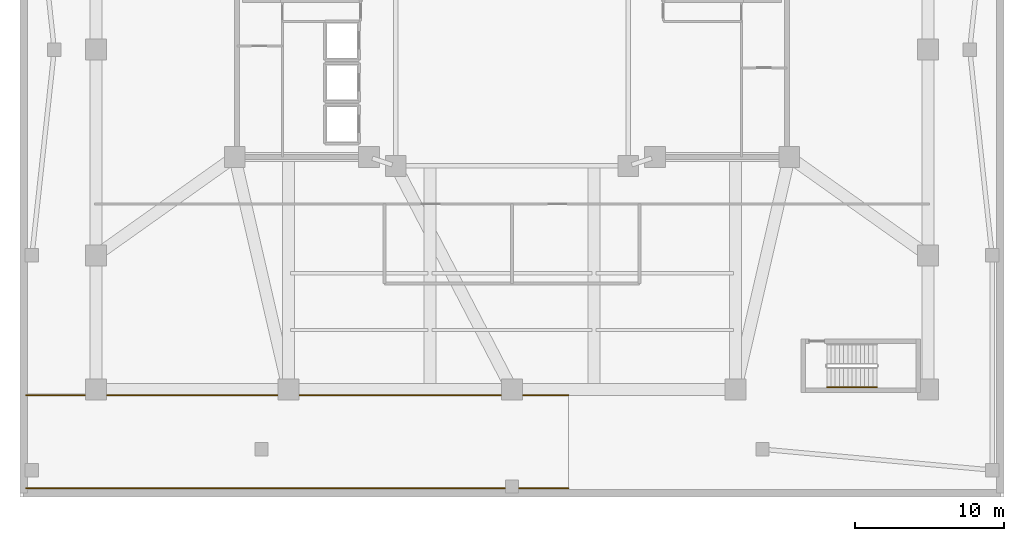
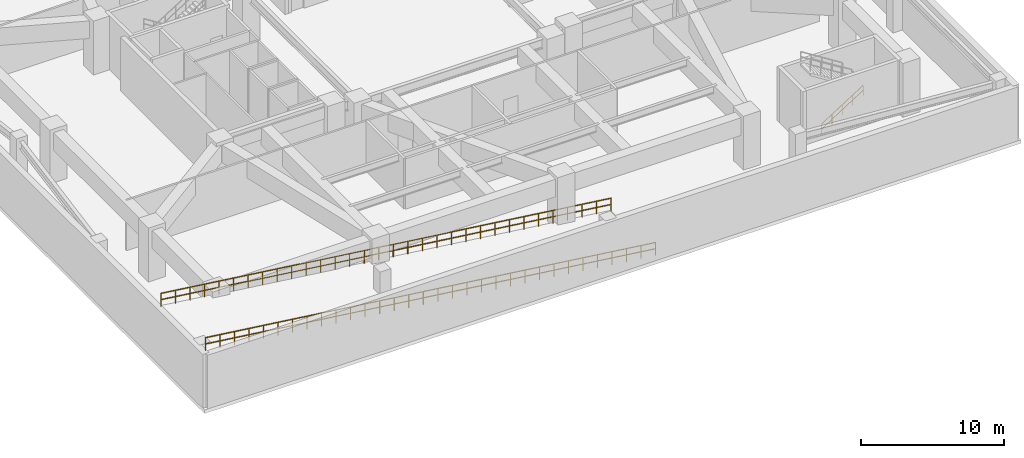
# One storey, part 6 of 8: 3 railings.
"""IFC4 building model written with IfcOpenShell, lengths in metres."""

import ifcopenshell
import ifcopenshell.guid

model = None  # the IFC model being written
_history = None  # IfcOwnerHistory: only IFC2X3 demands one
_inside = {}  # id of a spatial element -> (the spatial element, [elements in it])
_under = {}  # id of a project, library or spatial element -> (it, [spatial elements below it])
_declared = {}  # id of a project -> (the project, [libraries it declares])
_typed = {}  # id of a type object -> (the type object, [elements of that type])
_made_of = {}  # id of a material, layer set ... -> (it, [elements and type objects made of it])


def new_model(schema):
    """Start an empty IFC model of exactly this schema.

    Asked for "IFC4X3", IfcOpenShell would pick the latest addendum, in which some entities
    have other attributes; the version numbers below select the first issue.
    IFC2X3 requires an IfcOwnerHistory on every rooted entity: one is made here for all.
    """
    global model, _history
    if schema == "IFC4X3":
        model = ifcopenshell.file(schema_version=(4, 3, 0, 0))
    else:
        model = ifcopenshell.file(schema=schema)
    _inside.clear()
    _under.clear()
    _declared.clear()
    _typed.clear()
    _made_of.clear()
    _history = None
    if model.schema == "IFC2X3":
        org = make("IfcOrganization", Name="unknown")
        user = make(
            "IfcPersonAndOrganization",
            ThePerson=make("IfcPerson", FamilyName="unknown"),
            TheOrganization=org,
        )
        app = make(
            "IfcApplication",
            ApplicationDeveloper=org,
            Version="unknown",
            ApplicationFullName="unknown",
            ApplicationIdentifier="unknown",
        )
        _history = make(
            "IfcOwnerHistory",
            OwningUser=user,
            OwningApplication=app,
            ChangeAction="ADDED",
            CreationDate=0,
        )
    return model


def make(cls, **values):
    """One entity of the class cls with the attributes given. An attribute that is None is left unset."""
    return model.create_entity(
        cls, **{name: value for name, value in values.items() if value is not None}
    )


def rooted(cls, **values):
    """An entity with a GlobalId (a new one), such as an element, a storey or a relation."""
    return make(cls, GlobalId=ifcopenshell.guid.new(), OwnerHistory=_history, **values)


def si_unit(unit_type, name, prefix=None):
    """IfcSIUnit, for example si_unit("LENGTHUNIT", "METRE", prefix="MILLI")."""
    return make("IfcSIUnit", UnitType=unit_type, Prefix=prefix, Name=name)


def assignment(units):
    """IfcUnitAssignment: the units of a project."""
    return None if units is None else make("IfcUnitAssignment", Units=units)


def point(xyz):
    """IfcCartesianPoint."""
    return None if xyz is None else make("IfcCartesianPoint", Coordinates=xyz)


def direction(xyz):
    """IfcDirection."""
    return None if xyz is None else make("IfcDirection", DirectionRatios=xyz)


def frame(location, z_axis=None, x_axis=None):
    """IfcAxis2Placement3D, a coordinate frame: its origin and axes. An axis left out is left unset."""
    return make(
        "IfcAxis2Placement3D",
        Location=point(location),
        Axis=direction(z_axis),
        RefDirection=direction(x_axis),
    )


def frame_2d(location, x_axis=None):
    """IfcAxis2Placement2D, a coordinate frame in the plane: its origin and x axis."""
    return make(
        "IfcAxis2Placement2D", Location=point(location), RefDirection=direction(x_axis)
    )


def origin():
    """The frame at (0, 0, 0) with its axes left unset."""
    return frame((0.0, 0.0, 0.0))


def origin_2d():
    """The frame at (0, 0) in the plane with its x axis left unset."""
    return frame_2d((0.0, 0.0))


def place(relative_to, where):
    """IfcLocalPlacement: puts the frame where relative to a parent placement (None: the world)."""
    return make(
        "IfcLocalPlacement", PlacementRelTo=relative_to, RelativePlacement=where
    )


def context(
    kind, dimensions, precision=None, world=None, true_north=None, identifier=None
):
    """IfcGeometricRepresentationContext, for example the 3D "Model" context."""
    return make(
        "IfcGeometricRepresentationContext",
        ContextIdentifier=identifier,
        ContextType=kind,
        CoordinateSpaceDimension=dimensions,
        Precision=precision,
        WorldCoordinateSystem=world,
        TrueNorth=true_north,
    )


def subcontext(parent, identifier, kind, view, scale=None):
    """IfcGeometricRepresentationSubContext, for example "Body" below "Model"."""
    return make(
        "IfcGeometricRepresentationSubContext",
        ContextIdentifier=identifier,
        ContextType=kind,
        ParentContext=parent,
        TargetScale=scale,
        TargetView=view,
    )


def project(units=None, contexts=None):
    """IfcProject with its units and contexts."""
    return rooted(
        "IfcProject",
        Name="project",
        RepresentationContexts=contexts,
        UnitsInContext=assignment(units),
    )


def spatial(cls, under=None, at=None, **own):
    """A site, building, storey or space (cls), placed at a placement, below another one or the project."""
    s = rooted(cls, ObjectPlacement=at, **own)
    if under is not None:
        _under.setdefault(under.id(), (under, []))[1].append(s)
    return s


def profile(cls, at=None, kind="AREA", **sizes):
    """A parametric profile (cls). Its sizes go by their IFC names, for example OverallWidth=200.0."""
    return make(cls, ProfileType=kind, Position=at, **sizes)


def circle(**sizes):
    """IfcCircleProfileDef."""
    return profile("IfcCircleProfileDef", **sizes)


def extrude(swept, where, along, depth):
    """IfcExtrudedAreaSolid: the profile swept, set in the frame where, extruded along a direction by depth."""
    return make(
        "IfcExtrudedAreaSolid",
        SweptArea=swept,
        Position=where,
        ExtrudedDirection=direction(along),
        Depth=depth,
    )


def shape(context_of_items, identifier, shape_type, items):
    """IfcShapeRepresentation: the items that make up one representation, for example the "Body"."""
    return make(
        "IfcShapeRepresentation",
        ContextOfItems=context_of_items,
        RepresentationIdentifier=identifier,
        RepresentationType=shape_type,
        Items=items,
    )


def material(Name=None, Category=None):
    """IfcMaterial."""
    return make("IfcMaterial", Name=Name, Category=Category)


def made_of(thing, what):
    """Note that an element or type object is made of a material, layer set ...; save() writes the relation."""
    if what is not None:
        _made_of.setdefault(what.id(), (what, []))[1].append(thing)
    return thing


def type_object(cls, material=None, **own):
    """A type object (cls), such as IfcWallType, which elements share."""
    return made_of(rooted(cls, **own), material)


def element(
    cls,
    number,
    at=None,
    inside=None,
    cuts=None,
    type_object=None,
    material=None,
    context=None,
    identifier="Body",
    shape_type=None,
    held_by="IfcProductDefinitionShape",
    body=None,
    shapes=None,
    **own,
):
    """One element of the class cls, such as IfcWall. Its Tag is "e" and its number.

    at: its placement. inside: the storey or other place that contains it. cuts: it is an
    opening in that element (IfcRelVoidsElement). A single representation is given by context,
    identifier, shape_type and body (its items); several are given by shapes. held_by: the class
    of the entity that holds the representations. save() writes the other relations.
    """
    e = rooted(cls, Tag="e%d" % number, ObjectPlacement=at, **own)
    if body is not None:
        shapes = [shape(context, identifier, shape_type, body)]
    if shapes is not None:
        e.Representation = make(held_by, Representations=shapes)
    if inside is not None:
        _inside.setdefault(inside.id(), (inside, []))[1].append(e)
    if cuts is not None:
        rooted(
            "IfcRelVoidsElement", RelatingBuildingElement=cuts, RelatedOpeningElement=e
        )
    if type_object is not None:
        _typed.setdefault(type_object.id(), (type_object, []))[1].append(e)
    return made_of(e, material)


def aggregate(whole, parts):
    """IfcRelAggregates: a whole, such as a stair, and the parts it consists of."""
    return rooted("IfcRelAggregates", RelatingObject=whole, RelatedObjects=parts)


def save(model, path):
    """Write the relations noted so far, then the file.

    IfcRelAggregates (storeys below a building ...), IfcRelContainedInSpatialStructure (elements
    in a storey), IfcRelDefinesByType, IfcRelAssociatesMaterial and IfcRelDeclares: one each for
    every whole, place, type object, material and project.
    """
    for whole, parts in _under.values():
        aggregate(whole, parts)
    for where, things in _inside.values():
        rooted(
            "IfcRelContainedInSpatialStructure",
            RelatedElements=things,
            RelatingStructure=where,
        )
    for kind, things in _typed.values():
        rooted("IfcRelDefinesByType", RelatedObjects=things, RelatingType=kind)
    for what, things in _made_of.values():
        rooted("IfcRelAssociatesMaterial", RelatedObjects=things, RelatingMaterial=what)
    for by, libraries in _declared.values():
        rooted("IfcRelDeclares", RelatingContext=by, RelatedDefinitions=libraries)
    model.write(path)


model = new_model("IFC4")

# Units and contexts
model_context = context("Model", 3, precision=1e-05, world=origin(), true_north=direction((0.0, 1.0)))
body_context = subcontext(model_context, "Body", "Model", "MODEL_VIEW")
ifc_project = project(units=[si_unit("LENGTHUNIT", "METRE"), si_unit("AREAUNIT", "SQUARE_METRE"), si_unit("VOLUMEUNIT", "CUBIC_METRE"), si_unit("PLANEANGLEUNIT", "RADIAN"), si_unit("MASSUNIT", "GRAM", prefix="KILO")], contexts=[model_context])

# Site, building, storey
site_placement = place(None, origin())
site = spatial("IfcSite", under=ifc_project, at=site_placement, CompositionType="ELEMENT")
building_placement = place(site_placement, origin())
building = spatial("IfcBuilding", under=site, at=building_placement, Name="Tarnavaz Court Tower", CompositionType="ELEMENT")
storey_placement = place(building_placement, frame((0.0, 0.0, -4.60009765625)))
storey = spatial("IfcBuildingStorey", under=building, at=storey_placement, Name="B01", CompositionType="ELEMENT", Elevation=-4.60009765625)

# Railings
ifc_material_1 = material(Name="Brushed Stainless Steel", Category="steel")
railing_type_1 = type_object("IfcRailingType", Name="RL-HANDRAIL-900", PredefinedType="HANDRAIL", material=ifc_material_1)
railing_1_placement = place(storey_placement, frame((21.1201171875, -22.64990234375, 0.177001953125)))
element("IfcRailing", 1, at=railing_1_placement, inside=storey, type_object=railing_type_1, Name="B01 ST-P1 stair handrail 1", PredefinedType="HANDRAIL", context=body_context, shape_type="SweptSolid", body=[
    extrude(circle(Radius=0.02392578125, at=origin_2d()), frame((0.0, 0.0, 0.8759765625), z_axis=(0.845372108799, 0.0, 0.534177870812), x_axis=(0.0, 1.0, 0.0)), (0.0, 0.0, 1.0), 3.974365234375),
    extrude(circle(Radius=0.02392578125, at=origin_2d()), frame((0.0, 0.0, 0.449951171875), z_axis=(0.845372108799, 0.0, 0.534177870812), x_axis=(0.0, 1.0, 0.0)), (0.0, 0.0, 1.0), 3.974365234375),
    extrude(circle(Radius=0.02099609375, at=origin_2d()), origin(), (0.0, 0.0, 1.0), 0.851806640625),
    extrude(circle(Radius=0.02099609375, at=origin_2d()), frame((0.83984375, 0.0, 0.53076171875)), (0.0, 0.0, 1.0), 0.851806640625),
    extrude(circle(Radius=0.02099609375, at=origin_2d()), frame((1.679931640625, 0.0, 1.0615234375)), (0.0, 0.0, 1.0), 0.851806640625),
    extrude(circle(Radius=0.02099609375, at=origin_2d()), frame((2.52001953125, 0.0, 1.59228515625)), (0.0, 0.0, 1.0), 0.851806640625),
    extrude(circle(Radius=0.02099609375, at=origin_2d()), frame((3.35986328125, 0.0, 2.123046875)), (0.0, 0.0, 1.0), 0.851806640625),
])
ifc_material_2 = material(Name="Galvanized Painted Tubular Steel", Category="steel")
railing_type_2 = type_object("IfcRailingType", Name="RL-STGUARD-1120", PredefinedType="GUARDRAIL", material=ifc_material_2)
railing_2_placement = place(storey_placement, frame((3.800048828125, -29.419921875, 0.0)))
element("IfcRailing", 2, at=railing_2_placement, inside=storey, type_object=railing_type_2, Name="B01 Vehicle Ramp R2 S Safety Guardrail", PredefinedType="GUARDRAIL", context=body_context, shape_type="SweptSolid", body=[
    extrude(circle(Radius=0.02392578125, at=origin_2d()), frame((0.0, 0.0, 1.09619140625), z_axis=(-0.992108973461, 0.0, 0.125378565867), x_axis=(0.0, -1.0, 0.0)), (0.0, 0.0, 1.0), 36.689697265625),
    extrude(circle(Radius=0.02392578125, at=origin_2d()), frame((0.0, 0.0, 0.56005859375), z_axis=(-0.992108973461, 0.0, 0.125378565867), x_axis=(0.0, -1.0, 0.0)), (0.0, 0.0, 1.0), 36.689697265625),
    extrude(circle(Radius=0.02099609375, at=origin_2d()), origin(), (0.0, 0.0, 1.0), 1.072021484375),
    extrude(circle(Radius=0.02099609375, at=origin_2d()), frame((-1.17431640625, 0.0, 0.1484375)), (0.0, 0.0, 1.0), 1.072021484375),
    extrude(circle(Radius=0.02099609375, at=origin_2d()), frame((-2.348388671875, 0.0, 0.296875)), (0.0, 0.0, 1.0), 1.072021484375),
    extrude(circle(Radius=0.02099609375, at=origin_2d()), frame((-3.522705078125, 0.0, 0.445068359375)), (0.0, 0.0, 1.0), 1.072021484375),
    extrude(circle(Radius=0.02099609375, at=origin_2d()), frame((-4.69677734375, 0.0, 0.593505859375)), (0.0, 0.0, 1.0), 1.072021484375),
    extrude(circle(Radius=0.02099609375, at=origin_2d()), frame((-5.87109375, 0.0, 0.741943359375)), (0.0, 0.0, 1.0), 1.072021484375),
    extrude(circle(Radius=0.02099609375, at=origin_2d()), frame((-7.045166015625, 0.0, 0.890380859375)), (0.0, 0.0, 1.0), 1.072021484375),
    extrude(circle(Radius=0.02099609375, at=origin_2d()), frame((-8.219482421875, 0.0, 1.038818359375)), (0.0, 0.0, 1.0), 1.072021484375),
    extrude(circle(Radius=0.02099609375, at=origin_2d()), frame((-9.3935546875, 0.0, 1.18701171875)), (0.0, 0.0, 1.0), 1.072021484375),
    extrude(circle(Radius=0.02099609375, at=origin_2d()), frame((-10.56787109375, 0.0, 1.33544921875)), (0.0, 0.0, 1.0), 1.072021484375),
    extrude(circle(Radius=0.02099609375, at=origin_2d()), frame((-11.741943359375, 0.0, 1.48388671875)), (0.0, 0.0, 1.0), 1.072021484375),
    extrude(circle(Radius=0.02099609375, at=origin_2d()), frame((-12.916259765625, 0.0, 1.63232421875)), (0.0, 0.0, 1.0), 1.072021484375),
    extrude(circle(Radius=0.02099609375, at=origin_2d()), frame((-14.09033203125, 0.0, 1.78076171875)), (0.0, 0.0, 1.0), 1.072021484375),
    extrude(circle(Radius=0.02099609375, at=origin_2d()), frame((-15.2646484375, 0.0, 1.928955078125)), (0.0, 0.0, 1.0), 1.072021484375),
    extrude(circle(Radius=0.02099609375, at=origin_2d()), frame((-16.438720703125, 0.0, 2.077392578125)), (0.0, 0.0, 1.0), 1.072021484375),
    extrude(circle(Radius=0.02099609375, at=origin_2d()), frame((-17.613037109375, 0.0, 2.225830078125)), (0.0, 0.0, 1.0), 1.072021484375),
    extrude(circle(Radius=0.02099609375, at=origin_2d()), frame((-18.787109375, 0.0, 2.374267578125)), (0.0, 0.0, 1.0), 1.072021484375),
    extrude(circle(Radius=0.02099609375, at=origin_2d()), frame((-19.96142578125, 0.0, 2.522705078125)), (0.0, 0.0, 1.0), 1.072021484375),
    extrude(circle(Radius=0.02099609375, at=origin_2d()), frame((-21.135498046875, 0.0, 2.671142578125)), (0.0, 0.0, 1.0), 1.072021484375),
    extrude(circle(Radius=0.02099609375, at=origin_2d()), frame((-22.309814453125, 0.0, 2.8193359375)), (0.0, 0.0, 1.0), 1.072021484375),
    extrude(circle(Radius=0.02099609375, at=origin_2d()), frame((-23.48388671875, 0.0, 2.9677734375)), (0.0, 0.0, 1.0), 1.072021484375),
    extrude(circle(Radius=0.02099609375, at=origin_2d()), frame((-24.658203125, 0.0, 3.1162109375)), (0.0, 0.0, 1.0), 1.072021484375),
    extrude(circle(Radius=0.02099609375, at=origin_2d()), frame((-25.832275390625, 0.0, 3.2646484375)), (0.0, 0.0, 1.0), 1.072021484375),
    extrude(circle(Radius=0.02099609375, at=origin_2d()), frame((-27.006591796875, 0.0, 3.4130859375)), (0.0, 0.0, 1.0), 1.072021484375),
    extrude(circle(Radius=0.02099609375, at=origin_2d()), frame((-28.1806640625, 0.0, 3.561279296875)), (0.0, 0.0, 1.0), 1.072021484375),
    extrude(circle(Radius=0.02099609375, at=origin_2d()), frame((-29.35498046875, 0.0, 3.709716796875)), (0.0, 0.0, 1.0), 1.072021484375),
    extrude(circle(Radius=0.02099609375, at=origin_2d()), frame((-30.529052734375, 0.0, 3.858154296875)), (0.0, 0.0, 1.0), 1.072021484375),
    extrude(circle(Radius=0.02099609375, at=origin_2d()), frame((-31.703369140625, 0.0, 4.006591796875)), (0.0, 0.0, 1.0), 1.072021484375),
    extrude(circle(Radius=0.02099609375, at=origin_2d()), frame((-32.87744140625, 0.0, 4.155029296875)), (0.0, 0.0, 1.0), 1.072021484375),
    extrude(circle(Radius=0.02099609375, at=origin_2d()), frame((-34.0517578125, 0.0, 4.30322265625)), (0.0, 0.0, 1.0), 1.072021484375),
    extrude(circle(Radius=0.02099609375, at=origin_2d()), frame((-35.225830078125, 0.0, 4.45166015625)), (0.0, 0.0, 1.0), 1.072021484375),
    extrude(circle(Radius=0.02099609375, at=origin_2d()), frame((-36.400146484375, 0.0, 4.60009765625)), (0.0, 0.0, 1.0), 1.072021484375),
])
railing_3_placement = place(storey_placement, frame((3.800048828125, -23.179931640625, 0.0)))
element("IfcRailing", 3, at=railing_3_placement, inside=storey, type_object=railing_type_2, Name="B01 Vehicle Ramp R2 N Safety Guardrail", PredefinedType="GUARDRAIL", context=body_context, shape_type="SweptSolid", body=[
    extrude(circle(Radius=0.02392578125, at=origin_2d()), frame((0.0, 0.0, 1.09619140625), z_axis=(-0.992108973461, 0.0, 0.125378565867), x_axis=(0.0, -1.0, 0.0)), (0.0, 0.0, 1.0), 36.689697265625),
    extrude(circle(Radius=0.02392578125, at=origin_2d()), frame((0.0, 0.0, 0.56005859375), z_axis=(-0.992108973461, 0.0, 0.125378565867), x_axis=(0.0, -1.0, 0.0)), (0.0, 0.0, 1.0), 36.689697265625),
    extrude(circle(Radius=0.02099609375, at=origin_2d()), origin(), (0.0, 0.0, 1.0), 1.072021484375),
    extrude(circle(Radius=0.02099609375, at=origin_2d()), frame((-1.17431640625, 0.0, 0.1484375)), (0.0, 0.0, 1.0), 1.072021484375),
    extrude(circle(Radius=0.02099609375, at=origin_2d()), frame((-2.348388671875, 0.0, 0.296875)), (0.0, 0.0, 1.0), 1.072021484375),
    extrude(circle(Radius=0.02099609375, at=origin_2d()), frame((-3.522705078125, 0.0, 0.445068359375)), (0.0, 0.0, 1.0), 1.072021484375),
    extrude(circle(Radius=0.02099609375, at=origin_2d()), frame((-4.69677734375, 0.0, 0.593505859375)), (0.0, 0.0, 1.0), 1.072021484375),
    extrude(circle(Radius=0.02099609375, at=origin_2d()), frame((-5.87109375, 0.0, 0.741943359375)), (0.0, 0.0, 1.0), 1.072021484375),
    extrude(circle(Radius=0.02099609375, at=origin_2d()), frame((-7.045166015625, 0.0, 0.890380859375)), (0.0, 0.0, 1.0), 1.072021484375),
    extrude(circle(Radius=0.02099609375, at=origin_2d()), frame((-8.219482421875, 0.0, 1.038818359375)), (0.0, 0.0, 1.0), 1.072021484375),
    extrude(circle(Radius=0.02099609375, at=origin_2d()), frame((-9.3935546875, 0.0, 1.18701171875)), (0.0, 0.0, 1.0), 1.072021484375),
    extrude(circle(Radius=0.02099609375, at=origin_2d()), frame((-10.56787109375, 0.0, 1.33544921875)), (0.0, 0.0, 1.0), 1.072021484375),
    extrude(circle(Radius=0.02099609375, at=origin_2d()), frame((-11.741943359375, 0.0, 1.48388671875)), (0.0, 0.0, 1.0), 1.072021484375),
    extrude(circle(Radius=0.02099609375, at=origin_2d()), frame((-12.916259765625, 0.0, 1.63232421875)), (0.0, 0.0, 1.0), 1.072021484375),
    extrude(circle(Radius=0.02099609375, at=origin_2d()), frame((-14.09033203125, 0.0, 1.78076171875)), (0.0, 0.0, 1.0), 1.072021484375),
    extrude(circle(Radius=0.02099609375, at=origin_2d()), frame((-15.2646484375, 0.0, 1.928955078125)), (0.0, 0.0, 1.0), 1.072021484375),
    extrude(circle(Radius=0.02099609375, at=origin_2d()), frame((-16.438720703125, 0.0, 2.077392578125)), (0.0, 0.0, 1.0), 1.072021484375),
    extrude(circle(Radius=0.02099609375, at=origin_2d()), frame((-17.613037109375, 0.0, 2.225830078125)), (0.0, 0.0, 1.0), 1.072021484375),
    extrude(circle(Radius=0.02099609375, at=origin_2d()), frame((-18.787109375, 0.0, 2.374267578125)), (0.0, 0.0, 1.0), 1.072021484375),
    extrude(circle(Radius=0.02099609375, at=origin_2d()), frame((-19.96142578125, 0.0, 2.522705078125)), (0.0, 0.0, 1.0), 1.072021484375),
    extrude(circle(Radius=0.02099609375, at=origin_2d()), frame((-21.135498046875, 0.0, 2.671142578125)), (0.0, 0.0, 1.0), 1.072021484375),
    extrude(circle(Radius=0.02099609375, at=origin_2d()), frame((-22.309814453125, 0.0, 2.8193359375)), (0.0, 0.0, 1.0), 1.072021484375),
    extrude(circle(Radius=0.02099609375, at=origin_2d()), frame((-23.48388671875, 0.0, 2.9677734375)), (0.0, 0.0, 1.0), 1.072021484375),
    extrude(circle(Radius=0.02099609375, at=origin_2d()), frame((-24.658203125, 0.0, 3.1162109375)), (0.0, 0.0, 1.0), 1.072021484375),
    extrude(circle(Radius=0.02099609375, at=origin_2d()), frame((-25.832275390625, 0.0, 3.2646484375)), (0.0, 0.0, 1.0), 1.072021484375),
    extrude(circle(Radius=0.02099609375, at=origin_2d()), frame((-27.006591796875, 0.0, 3.4130859375)), (0.0, 0.0, 1.0), 1.072021484375),
    extrude(circle(Radius=0.02099609375, at=origin_2d()), frame((-28.1806640625, 0.0, 3.561279296875)), (0.0, 0.0, 1.0), 1.072021484375),
    extrude(circle(Radius=0.02099609375, at=origin_2d()), frame((-29.35498046875, 0.0, 3.709716796875)), (0.0, 0.0, 1.0), 1.072021484375),
    extrude(circle(Radius=0.02099609375, at=origin_2d()), frame((-30.529052734375, 0.0, 3.858154296875)), (0.0, 0.0, 1.0), 1.072021484375),
    extrude(circle(Radius=0.02099609375, at=origin_2d()), frame((-31.703369140625, 0.0, 4.006591796875)), (0.0, 0.0, 1.0), 1.072021484375),
    extrude(circle(Radius=0.02099609375, at=origin_2d()), frame((-32.87744140625, 0.0, 4.155029296875)), (0.0, 0.0, 1.0), 1.072021484375),
    extrude(circle(Radius=0.02099609375, at=origin_2d()), frame((-34.0517578125, 0.0, 4.30322265625)), (0.0, 0.0, 1.0), 1.072021484375),
    extrude(circle(Radius=0.02099609375, at=origin_2d()), frame((-35.225830078125, 0.0, 4.45166015625)), (0.0, 0.0, 1.0), 1.072021484375),
    extrude(circle(Radius=0.02099609375, at=origin_2d()), frame((-36.400146484375, 0.0, 4.60009765625)), (0.0, 0.0, 1.0), 1.072021484375),
])

save(model, "model.ifc")
